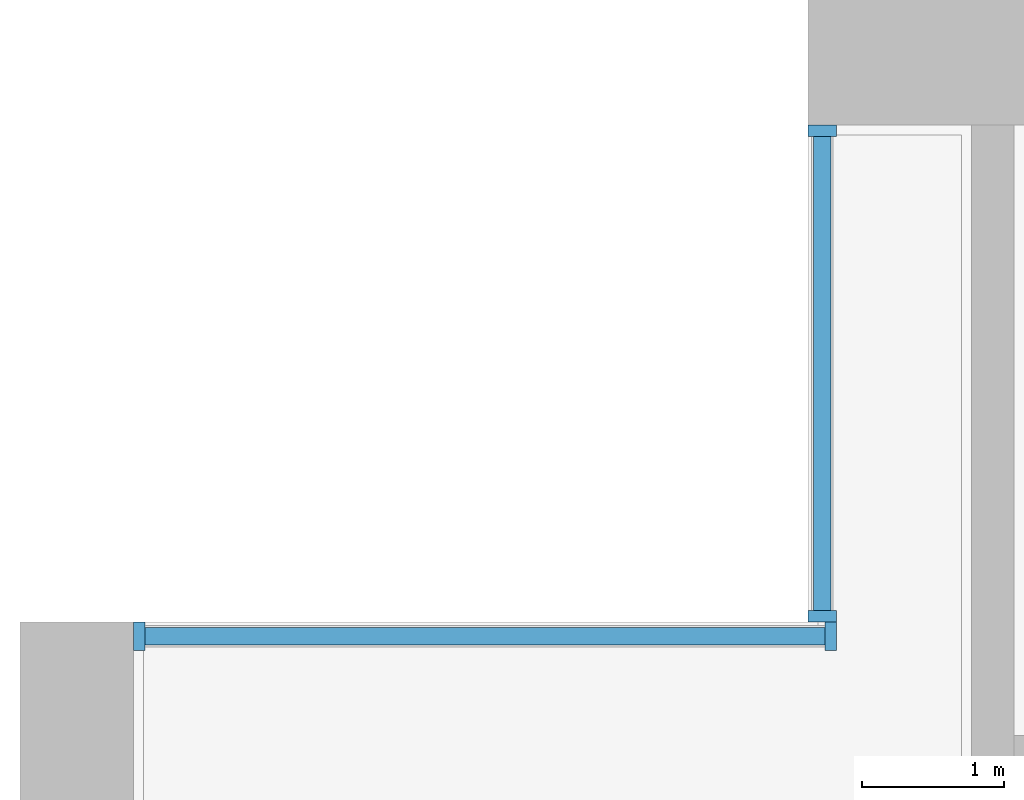
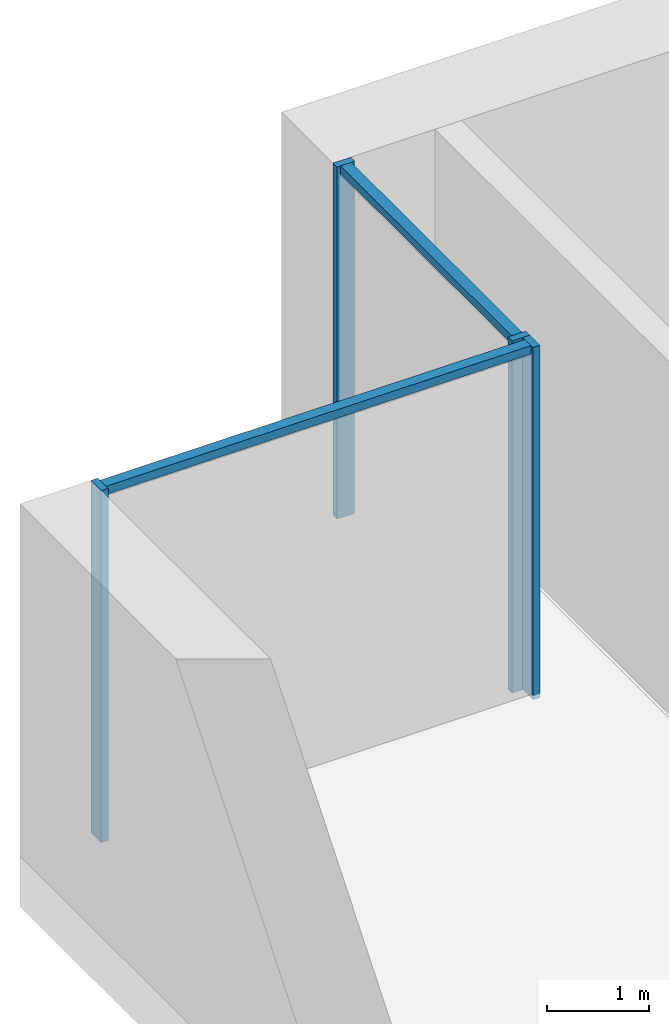
# One storey, part 4 of 18: 6 members, 2 elements without a shape of their own.
"""IFC4 building model written with IfcOpenShell, lengths in metres."""

from ifc_helpers import new_model, si_unit, direction, frame, origin, origin_2d, place, context, subcontext, project, spatial, rectangle, extrude, material, material_profile, profile_set, type_object, element, aggregate, save


model = new_model("IFC4")

# Units and contexts
model_context = context("Model", 3, precision=1e-05, world=origin(), true_north=direction((0.0, 1.0)))
body_context = subcontext(model_context, "Body", "Model", "MODEL_VIEW")
ifc_project = project(units=[si_unit("LENGTHUNIT", "METRE"), si_unit("AREAUNIT", "SQUARE_METRE"), si_unit("VOLUMEUNIT", "CUBIC_METRE"), si_unit("PLANEANGLEUNIT", "RADIAN"), si_unit("MASSUNIT", "GRAM", prefix="KILO")], contexts=[model_context])

# Site, building, storey
site_placement = place(None, origin())
site = spatial("IfcSite", under=ifc_project, at=site_placement, CompositionType="ELEMENT")
building_placement = place(site_placement, origin())
building = spatial("IfcBuilding", under=site, at=building_placement, Name="Calvaro Tower", CompositionType="ELEMENT")
storey_placement = place(building_placement, frame((0.0, 0.0, 90.0)))
storey = spatial("IfcBuildingStorey", under=building, at=storey_placement, Name="L22", CompositionType="ELEMENT", Elevation=90.0)

# Curtain wall, members
ifc_material_1 = material(Name="Anodised aluminium", Category="aluminium")
curtain_wall_type = type_object("IfcCurtainWallType", Name="Louvre wall", PredefinedType="NOTDEFINED", material=ifc_material_1)
curtain_wall_1_placement = place(storey_placement, origin())
curtain_wall_1 = element("IfcCurtainWall", 1, at=curtain_wall_1_placement, inside=storey, type_object=curtain_wall_type, Name="CW8 corner curtain wall", PredefinedType="NOTDEFINED")
ifc_material_2 = material(Name="Anodised aluminium", Category="aluminium")
ifc_material_profile_1 = material_profile(ifc_material_2, rectangle(XDim=0.199951171875, YDim=0.080078125, at=origin_2d()), Name="Mullion LV 80 x 200")
ifc_profile_set_1 = profile_set([ifc_material_profile_1], Name="Anodised aluminium")
member_type_1 = type_object("IfcMemberType", Name="Mullion LV 80 x 200", PredefinedType="MULLION", material=ifc_profile_set_1)
member_1_placement = place(storey_placement, frame((5.64990234375, 41.5400390625, 0.0), z_axis=(0.0, 0.0, 1.0), x_axis=(-1.0, 0.0, 0.0)))
member_1 = element("IfcMember", 2, at=member_1_placement, type_object=member_type_1, Name="CW8 mullion 1", PredefinedType="MULLION", context=body_context, shape_type="SweptSolid", body=[
    extrude(rectangle(XDim=0.199951171875, YDim=0.080078125, at=origin_2d()), origin(), (0.0, 0.0, 1.0), 4.199951171875),
])
member_2_placement = place(storey_placement, frame((5.64990234375, 44.9599609375, 0.0), z_axis=(0.0, 0.0, 1.0), x_axis=(-1.0, 0.0, 0.0)))
member_2 = element("IfcMember", 3, at=member_2_placement, type_object=member_type_1, Name="CW8 mullion 2", PredefinedType="MULLION", context=body_context, shape_type="SweptSolid", body=[
    extrude(rectangle(XDim=0.199951171875, YDim=0.080078125, at=origin_2d()), origin(), (0.0, 0.0, 1.0), 4.199951171875),
])

curtain_wall_2_placement = place(storey_placement, origin())
curtain_wall_2 = element("IfcCurtainWall", 4, at=curtain_wall_2_placement, inside=storey, type_object=curtain_wall_type, Name="CW8 corner curtain wall", PredefinedType="NOTDEFINED")
member_3_placement = place(storey_placement, frame((0.840087890625, 41.39990234375, 0.0), z_axis=(0.0, 0.0, 1.0), x_axis=(0.0, 1.0, 0.0)))
member_3 = element("IfcMember", 5, at=member_3_placement, type_object=member_type_1, Name="CW8 mullion 1", PredefinedType="MULLION", context=body_context, shape_type="SweptSolid", body=[
    extrude(rectangle(XDim=0.199951171875, YDim=0.080078125, at=origin_2d()), origin(), (0.0, 0.0, 1.0), 4.199951171875),
])
member_4_placement = place(storey_placement, frame((5.7099609375, 41.39990234375, 0.0), z_axis=(0.0, 0.0, 1.0), x_axis=(0.0, 1.0, 0.0)))
member_4 = element("IfcMember", 6, at=member_4_placement, type_object=member_type_1, Name="CW8 mullion 2", PredefinedType="MULLION", context=body_context, shape_type="SweptSolid", body=[
    extrude(rectangle(XDim=0.199951171875, YDim=0.080078125, at=origin_2d()), origin(), (0.0, 0.0, 1.0), 4.199951171875),
])

# Member
ifc_material_3 = material(Name="Anodised aluminium", Category="aluminium")
ifc_material_profile_2 = material_profile(ifc_material_3, rectangle(XDim=0.1201171875, YDim=0.10009765625, at=origin_2d()), Name="Transom LV 100 x 120")
ifc_profile_set_2 = profile_set([ifc_material_profile_2], Name="Anodised aluminium")
member_type_2 = type_object("IfcMemberType", Name="Transom LV 100 x 120", PredefinedType="USERDEFINED", material=ifc_profile_set_2)
member_5_placement = place(storey_placement, frame((5.64990234375, 41.580078125, 4.14990234375), z_axis=(0.0, 1.0, 0.0), x_axis=(-1.0, 0.0, 0.0)))
member_5 = element("IfcMember", 7, at=member_5_placement, type_object=member_type_2, Name="CW8 transom 1.1", ObjectType="TRANSOM", PredefinedType="USERDEFINED", context=body_context, shape_type="SweptSolid", body=[
    extrude(rectangle(XDim=0.1201171875, YDim=0.10009765625, at=origin_2d()), origin(), (0.0, 0.0, 1.0), 3.33984375),
])

aggregate(curtain_wall_1, [member_1, member_2, member_5])

member_6_placement = place(storey_placement, frame((0.8798828125, 41.39990234375, 4.14990234375), z_axis=(1.0, 0.0, 0.0), x_axis=(0.0, 1.0, 0.0)))
member_6 = element("IfcMember", 8, at=member_6_placement, type_object=member_type_2, Name="CW8 transom 1.1", ObjectType="TRANSOM", PredefinedType="USERDEFINED", context=body_context, shape_type="SweptSolid", body=[
    extrude(rectangle(XDim=0.1201171875, YDim=0.10009765625, at=origin_2d()), origin(), (0.0, 0.0, 1.0), 4.7900390625),
])

aggregate(curtain_wall_2, [member_3, member_4, member_6])

save(model, "model.ifc")
